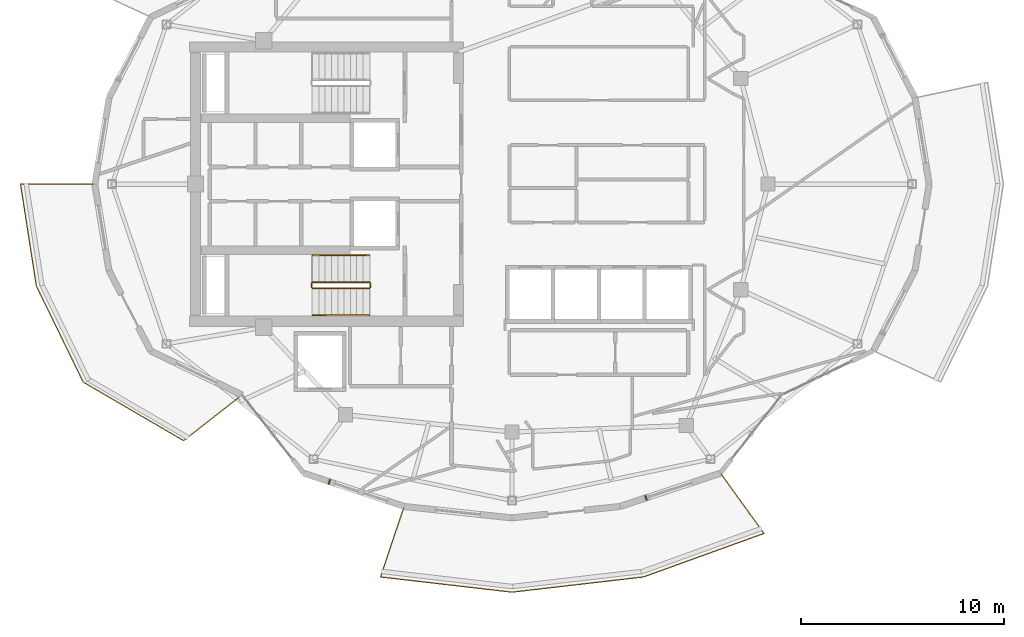
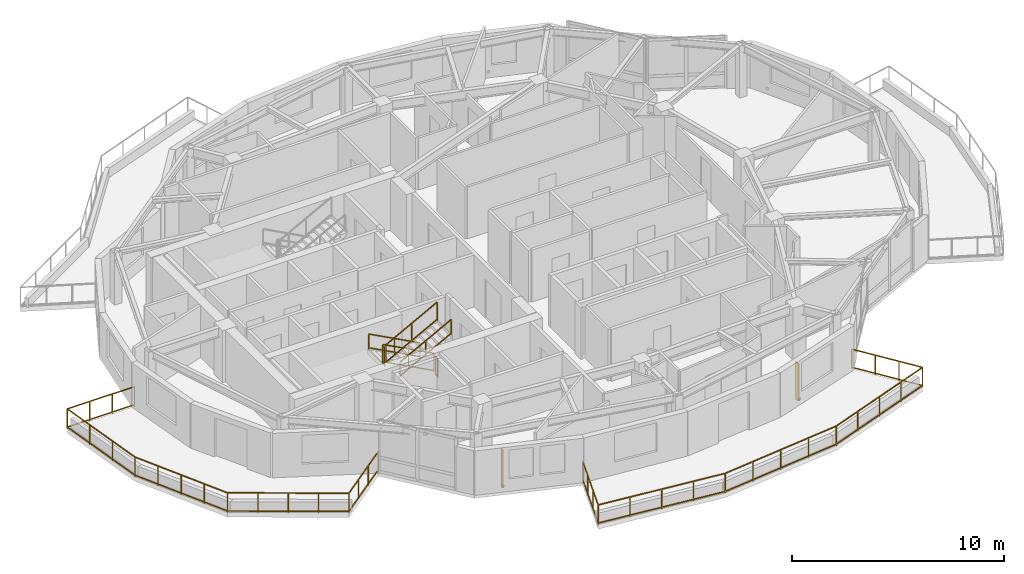
# One storey, part 12 of 15: 8 railings, 2 shading devices.
"""IFC4 building model written with IfcOpenShell, lengths in metres."""

from ifc_helpers import new_model, si_unit, direction, frame, origin, origin_2d, place, context, subcontext, project, spatial, rectangle, extrude, material, type_object, element, save


model = new_model("IFC4")

# Units and contexts
model_context = context("Model", 3, precision=1e-05, world=origin(), true_north=direction((0.0, 1.0)))
body_context = subcontext(model_context, "Body", "Model", "MODEL_VIEW")
ifc_project = project(units=[si_unit("LENGTHUNIT", "METRE"), si_unit("AREAUNIT", "SQUARE_METRE"), si_unit("VOLUMEUNIT", "CUBIC_METRE"), si_unit("PLANEANGLEUNIT", "RADIAN"), si_unit("MASSUNIT", "GRAM", prefix="KILO")], contexts=[model_context])

# Site, building, storey
site_placement = place(None, origin())
site = spatial("IfcSite", under=ifc_project, at=site_placement, CompositionType="ELEMENT")
building_placement = place(site_placement, origin())
building = spatial("IfcBuilding", under=site, at=building_placement, Name="Kolvaren Gate Tower and Convention Centre", CompositionType="ELEMENT")
storey_placement = place(building_placement, frame((0.0, 0.0, 272.300048828125)))
storey = spatial("IfcBuildingStorey", under=building, at=storey_placement, Name="L74", CompositionType="ELEMENT", Elevation=272.300048828125)

# Railings
ifc_material_1 = material(Name="Brushed Stainless Steel Grade 316L", Category="steel")
railing_type_1 = type_object("IfcRailingType", Name="ARCH-RL-GUARD-1150", PredefinedType="GUARDRAIL", material=ifc_material_1)
railing_1_placement = place(storey_placement, frame((23.10009765625, 22.169921875, 0.1650390625)))
element("IfcRailing", 1, at=railing_1_placement, inside=storey, type_object=railing_type_1, Name="L74 ST-T2 stair guard 1", PredefinedType="GUARDRAIL", context=body_context, shape_type="SweptSolid", body=[
    extrude(rectangle(XDim=0.048095703125, YDim=0.048095703125, at=origin_2d()), frame((0.0, 0.0, 1.076171875), z_axis=(-0.882767428149, 0.0, 0.469810246588), x_axis=(0.0, -1.0, 0.0)), (0.0, 0.0, 1.0), 3.16064453125),
    extrude(rectangle(XDim=0.048095703125, YDim=0.048095703125, at=origin_2d()), frame((0.0, 0.0, 0.083984375), z_axis=(-0.882767428149, 0.0, 0.469810246588), x_axis=(0.0, -1.0, 0.0)), (0.0, 0.0, 1.0), 3.16064453125),
    extrude(rectangle(XDim=0.0419921875, YDim=0.0419921875, at=origin_2d()), origin(), (0.0, 0.0, 1.0), 1.050048828125),
    extrude(rectangle(XDim=0.0419921875, YDim=0.0419921875, at=origin_2d()), frame((-2.7900390625, 0.0, 1.48486328125)), (0.0, 0.0, 1.0), 1.050048828125),
    extrude(rectangle(XDim=0.0419921875, YDim=0.0419921875, at=origin_2d()), frame((-1.39501953125, 0.0, 0.742431640625)), (0.0, 0.0, 1.0), 1.050048828125),
])
railing_2_placement = place(storey_placement, frame((20.260009765625, 22.1201171875, 1.64990234375)))
element("IfcRailing", 2, at=railing_2_placement, inside=storey, type_object=railing_type_1, Name="L74 ST-T2 stair guard 2", PredefinedType="GUARDRAIL", context=body_context, shape_type="SweptSolid", body=[
    extrude(rectangle(XDim=0.048095703125, YDim=0.048095703125, at=origin_2d()), frame((0.0, 0.0, 1.076171875), z_axis=(0.0, -1.0, 0.0), x_axis=(1.0, 0.0, 0.0)), (0.0, 0.0, 1.0), 0.2001953125),
    extrude(rectangle(XDim=0.048095703125, YDim=0.048095703125, at=origin_2d()), frame((0.0, 0.0, 0.083984375), z_axis=(0.0, -1.0, 0.0), x_axis=(1.0, 0.0, 0.0)), (0.0, 0.0, 1.0), 0.2001953125),
    extrude(rectangle(XDim=0.0419921875, YDim=0.0419921875, at=origin_2d()), origin(), (0.0, 0.0, 1.0), 1.050048828125),
    extrude(rectangle(XDim=0.0419921875, YDim=0.0419921875, at=origin_2d()), frame((0.0, -0.2001953125, 0.0)), (0.0, 0.0, 1.0), 1.050048828125),
])
railing_3_placement = place(storey_placement, frame((20.31005859375, 21.8701171875, 1.81494140625)))
element("IfcRailing", 3, at=railing_3_placement, inside=storey, type_object=railing_type_1, Name="L74 ST-T2 stair guard 3", PredefinedType="GUARDRAIL", context=body_context, shape_type="SweptSolid", body=[
    extrude(rectangle(XDim=0.048095703125, YDim=0.048095703125, at=origin_2d()), frame((0.0, 0.0, 1.076171875), z_axis=(0.882735390775, 0.0, 0.469870439454), x_axis=(0.0, 1.0, 0.0)), (0.0, 0.0, 1.0), 3.16064453125),
    extrude(rectangle(XDim=0.048095703125, YDim=0.048095703125, at=origin_2d()), frame((0.0, 0.0, 0.083984375), z_axis=(0.882735390775, 0.0, 0.469870439454), x_axis=(0.0, 1.0, 0.0)), (0.0, 0.0, 1.0), 3.16064453125),
    extrude(rectangle(XDim=0.0419921875, YDim=0.0419921875, at=origin_2d()), origin(), (0.0, 0.0, 1.0), 1.050048828125),
    extrude(rectangle(XDim=0.0419921875, YDim=0.0419921875, at=origin_2d()), frame((2.7900390625, 0.0, 1.485107421875)), (0.0, 0.0, 1.0), 1.050048828125),
    extrude(rectangle(XDim=0.0419921875, YDim=0.0419921875, at=origin_2d()), frame((1.39501953125, 0.0, 0.74267578125)), (0.0, 0.0, 1.0), 1.050048828125),
])
railing_4_placement = place(storey_placement, frame((23.14990234375, 22.1201171875, 0.0)))
element("IfcRailing", 4, at=railing_4_placement, inside=storey, type_object=railing_type_1, Name="L74 ST-T2 stair guard 4", PredefinedType="GUARDRAIL", context=body_context, shape_type="SweptSolid", body=[
    extrude(rectangle(XDim=0.048095703125, YDim=0.048095703125, at=origin_2d()), frame((0.0, 0.0, 1.076171875), z_axis=(0.0, -1.0, 0.0), x_axis=(1.0, 0.0, 0.0)), (0.0, 0.0, 1.0), 0.2001953125),
    extrude(rectangle(XDim=0.048095703125, YDim=0.048095703125, at=origin_2d()), frame((0.0, 0.0, 0.083984375), z_axis=(0.0, -1.0, 0.0), x_axis=(1.0, 0.0, 0.0)), (0.0, 0.0, 1.0), 0.2001953125),
    extrude(rectangle(XDim=0.0419921875, YDim=0.0419921875, at=origin_2d()), origin(), (0.0, 0.0, 1.0), 1.050048828125),
    extrude(rectangle(XDim=0.0419921875, YDim=0.0419921875, at=origin_2d()), frame((0.0, -0.2001953125, 0.0)), (0.0, 0.0, 1.0), 1.050048828125),
])
railing_5_placement = place(storey_placement, frame((9.59375, 27.0, 0.0)))
element("IfcRailing", 5, at=railing_5_placement, inside=storey, type_object=railing_type_1, Name="Tower L74 Terrace Perimeter Guardrail GR-2", PredefinedType="GUARDRAIL", context=body_context, shape_type="SweptSolid", body=[
    extrude(rectangle(XDim=0.048095703125, YDim=0.048095703125, at=origin_2d()), frame((-0.028076171875, 0.0, 1.1259765625), z_axis=(-1.0, 0.0, 0.0), x_axis=(0.0, -1.0, 0.0)), (0.0, 0.0, 1.0), 3.603759765625),
    extrude(rectangle(XDim=0.048095703125, YDim=0.048095703125, at=origin_2d()), frame((-0.028076171875, 0.0, 0.083984375), z_axis=(-1.0, 0.0, 0.0), x_axis=(0.0, -1.0, 0.0)), (0.0, 0.0, 1.0), 3.603759765625),
    extrude(rectangle(XDim=0.048095703125, YDim=0.048095703125, at=origin_2d()), frame((-3.655517578125, -0.02783203125, 1.1259765625), z_axis=(0.153733081728, -0.988112412422, 0.0), x_axis=(0.988112412422, 0.153733081728, 0.0)), (0.0, 0.0, 1.0), 5.022705078125),
    extrude(rectangle(XDim=0.048095703125, YDim=0.048095703125, at=origin_2d()), frame((-3.655517578125, -0.02783203125, 0.083984375), z_axis=(0.153733081728, -0.988112412422, 0.0), x_axis=(0.988112412422, 0.153733081728, 0.0)), (0.0, 0.0, 1.0), 5.022705078125),
    extrude(rectangle(XDim=0.048095703125, YDim=0.048095703125, at=origin_2d()), frame((-2.866943359375, -5.04345703125, 1.1259765625), z_axis=(0.438469339137, -0.898746148051, 0.0), x_axis=(0.898746148051, 0.438469339137, 0.0)), (0.0, 0.0, 1.0), 5.20556640625),
    extrude(rectangle(XDim=0.048095703125, YDim=0.048095703125, at=origin_2d()), frame((-2.866943359375, -5.04345703125, 0.083984375), z_axis=(0.438469339137, -0.898746148051, 0.0), x_axis=(0.898746148051, 0.438469339137, 0.0)), (0.0, 0.0, 1.0), 5.20556640625),
    extrude(rectangle(XDim=0.048095703125, YDim=0.048095703125, at=origin_2d()), frame((-0.5478515625, -9.761474609375, 1.1259765625), z_axis=(0.863803671285, -0.503828559606, 0.0), x_axis=(0.503828559606, 0.863803671285, 0.0)), (0.0, 0.0, 1.0), 5.663330078125),
    extrude(rectangle(XDim=0.048095703125, YDim=0.048095703125, at=origin_2d()), frame((-0.5478515625, -9.761474609375, 0.083984375), z_axis=(0.863803671285, -0.503828559606, 0.0), x_axis=(0.503828559606, 0.863803671285, 0.0)), (0.0, 0.0, 1.0), 5.663330078125),
    extrude(rectangle(XDim=0.048095703125, YDim=0.048095703125, at=origin_2d()), frame((4.390625, -12.611572265625, 1.1259765625), z_axis=(0.787988976981, 0.61568934712, 0.0), x_axis=(-0.61568934712, 0.787988976981, 0.0)), (0.0, 0.0, 1.0), 3.60400390625),
    extrude(rectangle(XDim=0.048095703125, YDim=0.048095703125, at=origin_2d()), frame((4.390625, -12.611572265625, 0.083984375), z_axis=(0.787988976981, 0.61568934712, 0.0), x_axis=(-0.61568934712, 0.787988976981, 0.0)), (0.0, 0.0, 1.0), 3.60400390625),
    extrude(rectangle(XDim=0.0419921875, YDim=0.0419921875, at=origin_2d()), origin(), (0.0, 0.0, 1.0), 1.14990234375),
    extrude(rectangle(XDim=0.0419921875, YDim=0.0419921875, at=origin_2d()), frame((-3.659912109375, 0.0, 0.0)), (0.0, 0.0, 1.0), 1.14990234375),
    extrude(rectangle(XDim=0.0419921875, YDim=0.0419921875, at=origin_2d()), frame((-1.219970703125, 0.0, 0.0)), (0.0, 0.0, 1.0), 1.099853515625),
    extrude(rectangle(XDim=0.0419921875, YDim=0.0419921875, at=origin_2d()), frame((-2.43994140625, 0.0, 0.0)), (0.0, 0.0, 1.0), 1.099853515625),
    extrude(rectangle(XDim=0.0419921875, YDim=0.0419921875, at=origin_2d()), frame((-2.879150390625, -5.018310546875, 0.0)), (0.0, 0.0, 1.0), 1.14990234375),
    extrude(rectangle(XDim=0.0419921875, YDim=0.0419921875, at=origin_2d()), frame((-3.399658203125, -1.6728515625, 0.0)), (0.0, 0.0, 1.0), 1.099853515625),
    extrude(rectangle(XDim=0.0419921875, YDim=0.0419921875, at=origin_2d()), frame((-3.139404296875, -3.345458984375, 0.0)), (0.0, 0.0, 1.0), 1.099853515625),
    extrude(rectangle(XDim=0.0419921875, YDim=0.0419921875, at=origin_2d()), frame((-0.572021484375, -9.747314453125, 0.0)), (0.0, 0.0, 1.0), 1.14990234375),
    extrude(rectangle(XDim=0.0419921875, YDim=0.0419921875, at=origin_2d()), frame((-2.30224609375, -6.20068359375, 0.0)), (0.0, 0.0, 1.0), 1.099853515625),
    extrude(rectangle(XDim=0.0419921875, YDim=0.0419921875, at=origin_2d()), frame((-1.7255859375, -7.3828125, 0.0)), (0.0, 0.0, 1.0), 1.099853515625),
    extrude(rectangle(XDim=0.0419921875, YDim=0.0419921875, at=origin_2d()), frame((-1.14892578125, -8.56494140625, 0.0)), (0.0, 0.0, 1.0), 1.099853515625),
    extrude(rectangle(XDim=0.0419921875, YDim=0.0419921875, at=origin_2d()), frame((4.368408203125, -12.62890625, 0.0)), (0.0, 0.0, 1.0), 1.14990234375),
    extrude(rectangle(XDim=0.0419921875, YDim=0.0419921875, at=origin_2d()), frame((0.6630859375, -10.4677734375, 0.0)), (0.0, 0.0, 1.0), 1.099853515625),
    extrude(rectangle(XDim=0.0419921875, YDim=0.0419921875, at=origin_2d()), frame((1.898193359375, -11.18798828125, 0.0)), (0.0, 0.0, 1.0), 1.099853515625),
    extrude(rectangle(XDim=0.0419921875, YDim=0.0419921875, at=origin_2d()), frame((3.13330078125, -11.908447265625, 0.0)), (0.0, 0.0, 1.0), 1.099853515625),
    extrude(rectangle(XDim=0.0419921875, YDim=0.0419921875, at=origin_2d()), frame((7.25244140625, -10.37548828125, 0.0)), (0.0, 0.0, 1.0), 1.14990234375),
    extrude(rectangle(XDim=0.0419921875, YDim=0.0419921875, at=origin_2d()), frame((5.329833984375, -11.877685546875, 0.0)), (0.0, 0.0, 1.0), 1.099853515625),
    extrude(rectangle(XDim=0.0419921875, YDim=0.0419921875, at=origin_2d()), frame((6.291015625, -11.126708984375, 0.0)), (0.0, 0.0, 1.0), 1.099853515625),
])
railing_6_placement = place(storey_placement, frame((24.81103515625, 11.134765625, 0.0)))
element("IfcRailing", 6, at=railing_6_placement, inside=storey, type_object=railing_type_1, Name="Tower L74 Terrace Perimeter Guardrail GR-3", PredefinedType="GUARDRAIL", context=body_context, shape_type="SweptSolid", body=[
    extrude(rectangle(XDim=0.048095703125, YDim=0.048095703125, at=origin_2d()), frame((-0.0087890625, -0.026611328125, 1.1259765625), z_axis=(-0.317588247294, -0.948228719867, 0.0), x_axis=(0.948228719867, -0.317588247294, 0.0)), (0.0, 0.0, 1.0), 3.603759765625),
    extrude(rectangle(XDim=0.048095703125, YDim=0.048095703125, at=origin_2d()), frame((-0.0087890625, -0.026611328125, 0.083984375), z_axis=(-0.317588247294, -0.948228719867, 0.0), x_axis=(0.948228719867, -0.317588247294, 0.0)), (0.0, 0.0, 1.0), 3.603759765625),
    extrude(rectangle(XDim=0.048095703125, YDim=0.048095703125, at=origin_2d()), frame((-1.134521484375, -3.4736328125, 1.1259765625), z_axis=(0.993373956815, -0.114926854656, 0.0), x_axis=(0.114926854656, 0.993373956815, 0.0)), (0.0, 0.0, 1.0), 6.46337890625),
    extrude(rectangle(XDim=0.048095703125, YDim=0.048095703125, at=origin_2d()), frame((-1.134521484375, -3.4736328125, 0.083984375), z_axis=(0.993373956815, -0.114926854656, 0.0), x_axis=(0.114926854656, 0.993373956815, 0.0)), (0.0, 0.0, 1.0), 6.46337890625),
    extrude(rectangle(XDim=0.048095703125, YDim=0.048095703125, at=origin_2d()), frame((5.341796875, -4.216552734375, 1.1259765625), z_axis=(0.993373956815, 0.114926854656, 0.0), x_axis=(-0.114926854656, 0.993373956815, 0.0)), (0.0, 0.0, 1.0), 6.46337890625),
    extrude(rectangle(XDim=0.048095703125, YDim=0.048095703125, at=origin_2d()), frame((5.341796875, -4.216552734375, 0.083984375), z_axis=(0.993373956815, 0.114926854656, 0.0), x_axis=(-0.114926854656, 0.993373956815, 0.0)), (0.0, 0.0, 1.0), 6.46337890625),
    extrude(rectangle(XDim=0.048095703125, YDim=0.048095703125, at=origin_2d()), frame((11.816650390625, -3.4609375, 1.1259765625), z_axis=(0.940477613992, 0.339855642267, 0.0), x_axis=(-0.339855642267, 0.940477613992, 0.0)), (0.0, 0.0, 1.0), 6.25048828125),
    extrude(rectangle(XDim=0.048095703125, YDim=0.048095703125, at=origin_2d()), frame((11.816650390625, -3.4609375, 0.083984375), z_axis=(0.940477613992, 0.339855642267, 0.0), x_axis=(-0.339855642267, 0.940477613992, 0.0)), (0.0, 0.0, 1.0), 6.25048828125),
    extrude(rectangle(XDim=0.048095703125, YDim=0.048095703125, at=origin_2d()), frame((17.705078125, -1.304443359375, 1.1259765625), z_axis=(-0.585212870465, 0.810879705161, 0.0), x_axis=(-0.810879705161, -0.585212870465, 0.0)), (0.0, 0.0, 1.0), 3.603759765625),
    extrude(rectangle(XDim=0.048095703125, YDim=0.048095703125, at=origin_2d()), frame((17.705078125, -1.304443359375, 0.083984375), z_axis=(-0.585212870465, 0.810879705161, 0.0), x_axis=(-0.810879705161, -0.585212870465, 0.0)), (0.0, 0.0, 1.0), 3.603759765625),
    extrude(rectangle(XDim=0.0419921875, YDim=0.0419921875, at=origin_2d()), origin(), (0.0, 0.0, 1.0), 1.14990234375),
    extrude(rectangle(XDim=0.0419921875, YDim=0.0419921875, at=origin_2d()), frame((-1.162353515625, -3.470458984375, 0.0)), (0.0, 0.0, 1.0), 1.14990234375),
    extrude(rectangle(XDim=0.0419921875, YDim=0.0419921875, at=origin_2d()), frame((-0.387451171875, -1.15673828125, 0.0)), (0.0, 0.0, 1.0), 1.099853515625),
    extrude(rectangle(XDim=0.0419921875, YDim=0.0419921875, at=origin_2d()), frame((-0.77490234375, -2.313720703125, 0.0)), (0.0, 0.0, 1.0), 1.099853515625),
    extrude(rectangle(XDim=0.0419921875, YDim=0.0419921875, at=origin_2d()), frame((5.31396484375, -4.2197265625, 0.0)), (0.0, 0.0, 1.0), 1.14990234375),
    extrude(rectangle(XDim=0.0419921875, YDim=0.0419921875, at=origin_2d()), frame((0.456787109375, -3.65771484375, 0.0)), (0.0, 0.0, 1.0), 1.099853515625),
    extrude(rectangle(XDim=0.0419921875, YDim=0.0419921875, at=origin_2d()), frame((2.07568359375, -3.84521484375, 0.0)), (0.0, 0.0, 1.0), 1.099853515625),
    extrude(rectangle(XDim=0.0419921875, YDim=0.0419921875, at=origin_2d()), frame((3.69482421875, -4.032470703125, 0.0)), (0.0, 0.0, 1.0), 1.099853515625),
    extrude(rectangle(XDim=0.0419921875, YDim=0.0419921875, at=origin_2d()), frame((11.790283203125, -3.470458984375, 0.0)), (0.0, 0.0, 1.0), 1.14990234375),
    extrude(rectangle(XDim=0.0419921875, YDim=0.0419921875, at=origin_2d()), frame((6.93310546875, -4.032470703125, 0.0)), (0.0, 0.0, 1.0), 1.099853515625),
    extrude(rectangle(XDim=0.0419921875, YDim=0.0419921875, at=origin_2d()), frame((8.55224609375, -3.84521484375, 0.0)), (0.0, 0.0, 1.0), 1.099853515625),
    extrude(rectangle(XDim=0.0419921875, YDim=0.0419921875, at=origin_2d()), frame((10.171142578125, -3.65771484375, 0.0)), (0.0, 0.0, 1.0), 1.099853515625),
    extrude(rectangle(XDim=0.0419921875, YDim=0.0419921875, at=origin_2d()), frame((17.721435546875, -1.3271484375, 0.0)), (0.0, 0.0, 1.0), 1.14990234375),
    extrude(rectangle(XDim=0.0419921875, YDim=0.0419921875, at=origin_2d()), frame((13.27294921875, -2.9345703125, 0.0)), (0.0, 0.0, 1.0), 1.099853515625),
    extrude(rectangle(XDim=0.0419921875, YDim=0.0419921875, at=origin_2d()), frame((14.755859375, -2.39892578125, 0.0)), (0.0, 0.0, 1.0), 1.099853515625),
    extrude(rectangle(XDim=0.0419921875, YDim=0.0419921875, at=origin_2d()), frame((16.23876953125, -1.863037109375, 0.0)), (0.0, 0.0, 1.0), 1.099853515625),
    extrude(rectangle(XDim=0.0419921875, YDim=0.0419921875, at=origin_2d()), frame((15.57958984375, 1.640625, 0.0)), (0.0, 0.0, 1.0), 1.14990234375),
    extrude(rectangle(XDim=0.0419921875, YDim=0.0419921875, at=origin_2d()), frame((17.007568359375, -0.337890625, 0.0)), (0.0, 0.0, 1.0), 1.099853515625),
    extrude(rectangle(XDim=0.0419921875, YDim=0.0419921875, at=origin_2d()), frame((16.29345703125, 0.6513671875, 0.0)), (0.0, 0.0, 1.0), 1.099853515625),
])
railing_type_2 = type_object("IfcRailingType", Name="ARCH-RL-HANDRAIL-920", PredefinedType="HANDRAIL", material=ifc_material_1)
railing_7_placement = place(storey_placement, frame((23.10009765625, 23.489990234375, 0.1650390625)))
element("IfcRailing", 7, at=railing_7_placement, inside=storey, type_object=railing_type_2, Name="L74 ST-T2 stair handrail 1", PredefinedType="HANDRAIL", context=body_context, shape_type="SweptSolid", body=[
    extrude(rectangle(XDim=0.048095703125, YDim=0.048095703125, at=origin_2d()), frame((0.0, 0.0, 0.8759765625), z_axis=(-0.882767428149, 0.0, 0.469810246588), x_axis=(0.0, -1.0, 0.0)), (0.0, 0.0, 1.0), 3.16064453125),
    extrude(rectangle(XDim=0.048095703125, YDim=0.048095703125, at=origin_2d()), frame((0.0, 0.0, 0.083984375), z_axis=(-0.882767428149, 0.0, 0.469810246588), x_axis=(0.0, -1.0, 0.0)), (0.0, 0.0, 1.0), 3.16064453125),
    extrude(rectangle(XDim=0.0419921875, YDim=0.0419921875, at=origin_2d()), origin(), (0.0, 0.0, 1.0), 0.849853515625),
    extrude(rectangle(XDim=0.0419921875, YDim=0.0419921875, at=origin_2d()), frame((-2.7900390625, 0.0, 1.48486328125)), (0.0, 0.0, 1.0), 0.849853515625),
    extrude(rectangle(XDim=0.0419921875, YDim=0.0419921875, at=origin_2d()), frame((-1.39501953125, 0.0, 0.742431640625)), (0.0, 0.0, 1.0), 0.849853515625),
])
railing_8_placement = place(storey_placement, frame((20.31005859375, 20.550048828125, 1.81494140625)))
element("IfcRailing", 8, at=railing_8_placement, inside=storey, type_object=railing_type_2, Name="L74 ST-T2 stair handrail 2", PredefinedType="HANDRAIL", context=body_context, shape_type="SweptSolid", body=[
    extrude(rectangle(XDim=0.048095703125, YDim=0.048095703125, at=origin_2d()), frame((0.0, 0.0, 0.8759765625), z_axis=(0.882735390775, 0.0, 0.469870439454), x_axis=(0.0, 1.0, 0.0)), (0.0, 0.0, 1.0), 3.16064453125),
    extrude(rectangle(XDim=0.048095703125, YDim=0.048095703125, at=origin_2d()), frame((0.0, 0.0, 0.083984375), z_axis=(0.882735390775, 0.0, 0.469870439454), x_axis=(0.0, 1.0, 0.0)), (0.0, 0.0, 1.0), 3.16064453125),
    extrude(rectangle(XDim=0.0419921875, YDim=0.0419921875, at=origin_2d()), origin(), (0.0, 0.0, 1.0), 0.849853515625),
    extrude(rectangle(XDim=0.0419921875, YDim=0.0419921875, at=origin_2d()), frame((2.7900390625, 0.0, 1.485107421875)), (0.0, 0.0, 1.0), 0.849853515625),
    extrude(rectangle(XDim=0.0419921875, YDim=0.0419921875, at=origin_2d()), frame((1.39501953125, 0.0, 0.74267578125)), (0.0, 0.0, 1.0), 0.849853515625),
])

# Shading devices
ifc_material_2 = material(Name="Kiln-Fired Bogota Terracotta Ceramic Louvre Profile", Category="masonry")
shading_device_type = type_object("IfcShadingDeviceType", Name="ARCH-SHD-FIN-180", PredefinedType="JALOUSIE", material=ifc_material_2)
for number, where, z_axis, x_axis, name in (
    (9, (21.138916015625, 12.3515625, 0.219970703125), (0.0, 0.0, 1.0), (0.949243375549, -0.314542547163, 0.0), "Ceramic Vertical Brise-Soleil Fin FN-L74-16"),
    (10, (36.718505859375, 11.55859375, 0.219970703125), (0.0, 0.0, 1.0), (0.949243375549, 0.314542547163, 0.0), "Ceramic Vertical Brise-Soleil Fin FN-L74-19"),
):
    element("IfcShadingDevice", number, at=place(storey_placement, frame(where, z_axis=z_axis, x_axis=x_axis)), inside=storey, type_object=shading_device_type, Name=name, PredefinedType="JALOUSIE", context=body_context, shape_type="SweptSolid", body=[
        extrude(rectangle(XDim=0.06005859375, YDim=0.239990234375, at=origin_2d()), origin(), (0.0, 0.0, 1.0), 2.14990234375),
    ])

save(model, "model.ifc")
